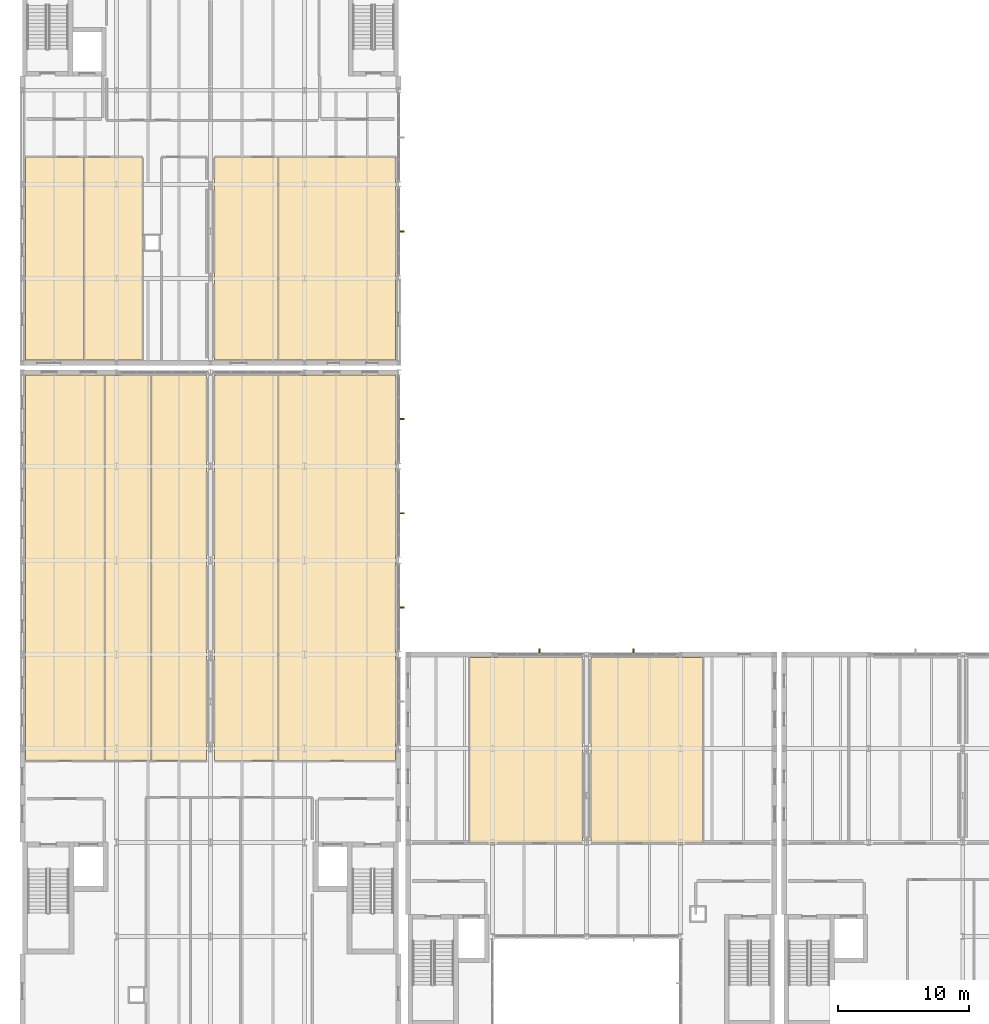
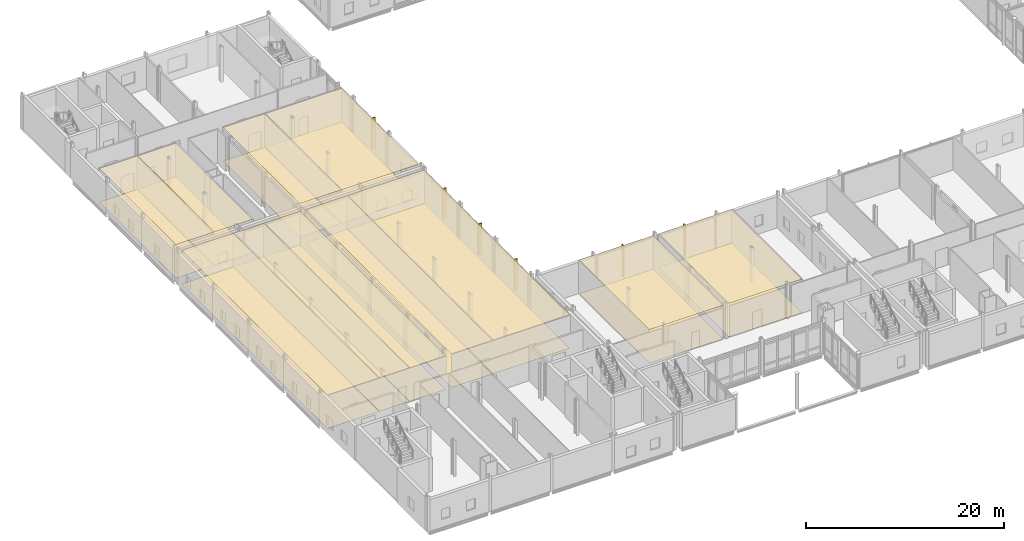
# One storey, part 68 of 76: 22 coverings, 6 shading devices.
"""IFC4 building model written with IfcOpenShell, lengths in metres."""

from ifc_helpers import new_model, si_unit, direction, frame, origin, origin_2d, place, context, subcontext, project, spatial, polyline, rectangle, outline, extrude, material, layer, layer_set, type_object, element, save


model = new_model("IFC4")

# Units and contexts
model_context = context("Model", 3, precision=1e-05, world=origin(), true_north=direction((0.0, 1.0)))
body_context = subcontext(model_context, "Body", "Model", "MODEL_VIEW")
ifc_project = project(units=[si_unit("LENGTHUNIT", "METRE"), si_unit("AREAUNIT", "SQUARE_METRE"), si_unit("VOLUMEUNIT", "CUBIC_METRE"), si_unit("PLANEANGLEUNIT", "RADIAN"), si_unit("MASSUNIT", "GRAM", prefix="KILO")], contexts=[model_context])

# Site, building, storey
site_placement = place(None, origin())
site = spatial("IfcSite", under=ifc_project, at=site_placement, CompositionType="ELEMENT")
building_placement = place(site_placement, origin())
building = spatial("IfcBuilding", under=site, at=building_placement, Name="Zarrinpeak Specialist Clinic", CompositionType="ELEMENT")
storey_placement = place(building_placement, frame((0.0, 0.0, 5.199951171875)))
storey = spatial("IfcBuildingStorey", under=building, at=storey_placement, Name="L01", CompositionType="ELEMENT", Elevation=5.199951171875)

# Coverings
ifc_material_1 = material(Name="Hygienic Acoustic Mineral Fibre Tile")
ifc_layer_1 = layer(ifc_material_1, 0.02490234375)
ifc_layer_set_1 = layer_set([ifc_layer_1], Name="Hygienic Acoustic Mineral Fibre Tile")
covering_type_1 = type_object("IfcCoveringType", Name="CV-CEIL-AC", PredefinedType="CEILING", material=ifc_layer_set_1)
covering_1_placement = place(storey_placement, frame((0.0, 0.0, 4.130126953125)))
element("IfcCovering", 1, at=covering_1_placement, inside=storey, type_object=covering_type_1, Name="L01 Cardiology Echocardiography Room Hygienic Acoustic Ceiling", PredefinedType="CEILING", context=body_context, shape_type="SweptSolid", body=[
    extrude(outline(polyline([(6.320068359375, 20.669921875), (9.830078125, 20.669921875), (9.830078125, 50.179931640625), (6.320068359375, 50.179931640625), (6.320068359375, 20.669921875)])), origin(), (0.0, 0.0, 1.0), 0.02490234375),
])
covering_2_placement = place(storey_placement, frame((0.0, 0.0, 4.130126953125)))
element("IfcCovering", 2, at=covering_2_placement, inside=storey, type_object=covering_type_1, Name="L01 Vascular Doppler Lab Hygienic Acoustic Ceiling", PredefinedType="CEILING", context=body_context, shape_type="SweptSolid", body=[
    extrude(outline(polyline([(9.8701171875, 20.669921875), (14.080078125, 20.669921875), (14.080078125, 50.179931640625), (9.8701171875, 50.179931640625), (9.8701171875, 20.669921875)])), origin(), (0.0, 0.0, 1.0), 0.02490234375),
])
covering_3_placement = place(storey_placement, frame((0.0, 0.0, 4.130126953125)))
element("IfcCovering", 3, at=covering_3_placement, inside=storey, type_object=covering_type_1, Name="L01 Cardiac Stress Testing Room Hygienic Acoustic Ceiling", PredefinedType="CEILING", context=body_context, shape_type="SweptSolid", body=[
    extrude(outline(polyline([(14.719970703125, 20.669921875), (19.580078125, 20.669921875), (19.580078125, 50.179931640625), (14.719970703125, 50.179931640625), (14.719970703125, 20.669921875)])), origin(), (0.0, 0.0, 1.0), 0.02490234375),
])
covering_4_placement = place(storey_placement, frame((0.0, 0.0, 4.130126953125)))
element("IfcCovering", 4, at=covering_4_placement, inside=storey, type_object=covering_type_1, Name="L01 Cardiology Waiting Lounge Hygienic Acoustic Ceiling", PredefinedType="CEILING", context=body_context, shape_type="SweptSolid", body=[
    extrude(outline(polyline([(0.219970703125, 20.669921875), (6.280029296875, 20.669921875), (6.280029296875, 50.179931640625), (0.219970703125, 50.179931640625), (0.219970703125, 20.669921875)])), origin(), (0.0, 0.0, 1.0), 0.02490234375),
])
covering_5_placement = place(storey_placement, frame((0.0, 0.0, 4.130126953125)))
element("IfcCovering", 5, at=covering_5_placement, inside=storey, type_object=covering_type_1, Name="L01 Specialist Consultation Room 1 Hygienic Acoustic Ceiling", PredefinedType="CEILING", context=body_context, shape_type="SweptSolid", body=[
    extrude(outline(polyline([(19.6201171875, 20.669921875), (28.580078125, 20.669921875), (28.580078125, 50.179931640625), (19.6201171875, 50.179931640625), (19.6201171875, 20.669921875)])), origin(), (0.0, 0.0, 1.0), 0.02490234375),
])
covering_6_placement = place(storey_placement, frame((0.0, 0.0, 4.130126953125)))
element("IfcCovering", 6, at=covering_6_placement, inside=storey, type_object=covering_type_1, Name="L01 Compounding Cleanroom Pharmacy Hygienic Acoustic Ceiling", PredefinedType="CEILING", context=body_context, shape_type="SweptSolid", body=[
    extrude(outline(polyline([(43.52001953125, 14.3701171875), (52.080078125, 14.3701171875), (52.080078125, 28.580078125), (43.52001953125, 28.580078125), (43.52001953125, 14.3701171875)])), origin(), (0.0, 0.0, 1.0), 0.02490234375),
])
covering_7_placement = place(storey_placement, frame((0.0, 0.0, 4.130126953125)))
element("IfcCovering", 7, at=covering_7_placement, inside=storey, type_object=covering_type_1, Name="L01 Medication Counseling Consult Hygienic Acoustic Ceiling", PredefinedType="CEILING", context=body_context, shape_type="SweptSolid", body=[
    extrude(outline(polyline([(34.239990234375, 14.3701171875), (42.8798828125, 14.3701171875), (42.8798828125, 28.580078125), (34.239990234375, 28.580078125), (34.239990234375, 14.3701171875)])), origin(), (0.0, 0.0, 1.0), 0.02490234375),
])
covering_8_placement = place(storey_placement, frame((0.0, 0.0, 4.130126953125)))
element("IfcCovering", 8, at=covering_8_placement, inside=storey, type_object=covering_type_1, Name="L01 Digital Mammography and Dexa Suite Hygienic Acoustic Ceiling", PredefinedType="CEILING", context=body_context, shape_type="SweptSolid", body=[
    extrude(outline(polyline([(4.719970703125, 51.340087890625), (9.179931640625, 51.340087890625), (9.179931640625, 66.8798828125), (4.719970703125, 66.8798828125), (4.719970703125, 51.340087890625)])), origin(), (0.0, 0.0, 1.0), 0.02490234375),
])
covering_9_placement = place(storey_placement, frame((0.0, 0.0, 4.130126953125)))
element("IfcCovering", 9, at=covering_9_placement, inside=storey, type_object=covering_type_1, Name="L01 Fluoroscopy Interventional Room Hygienic Acoustic Ceiling", PredefinedType="CEILING", context=body_context, shape_type="SweptSolid", body=[
    extrude(outline(polyline([(0.219970703125, 51.340087890625), (4.679931640625, 51.340087890625), (4.679931640625, 66.8798828125), (0.219970703125, 66.8798828125), (0.219970703125, 51.340087890625)])), origin(), (0.0, 0.0, 1.0), 0.02490234375),
])
covering_10_placement = place(storey_placement, frame((0.0, 0.0, 4.130126953125)))
element("IfcCovering", 10, at=covering_10_placement, inside=storey, type_object=covering_type_1, Name="L01 Ultrasound Diagnostic Bay Hygienic Acoustic Ceiling", PredefinedType="CEILING", context=body_context, shape_type="SweptSolid", body=[
    extrude(outline(polyline([(14.719970703125, 51.340087890625), (19.580078125, 51.340087890625), (19.580078125, 66.8798828125), (14.719970703125, 66.8798828125), (14.719970703125, 51.340087890625)])), origin(), (0.0, 0.0, 1.0), 0.02490234375),
])
covering_11_placement = place(storey_placement, frame((0.0, 0.0, 4.130126953125)))
element("IfcCovering", 11, at=covering_11_placement, inside=storey, type_object=covering_type_1, Name="L01 Specialist Consultation Room 2 Hygienic Acoustic Ceiling", PredefinedType="CEILING", context=body_context, shape_type="SweptSolid", body=[
    extrude(outline(polyline([(19.6201171875, 51.340087890625), (28.580078125, 51.340087890625), (28.580078125, 66.8798828125), (19.6201171875, 66.8798828125), (19.6201171875, 51.340087890625)])), origin(), (0.0, 0.0, 1.0), 0.02490234375),
])
ifc_material_2 = material(Name="Homogeneous Antimicrobial Clinical Vinyl")
ifc_layer_2 = layer(ifc_material_2, 0.008056640625)
ifc_layer_set_2 = layer_set([ifc_layer_2], Name="Homogeneous Antimicrobial Clinical Vinyl")
covering_type_2 = type_object("IfcCoveringType", Name="CV-FLR-VN", PredefinedType="FLOORING", material=ifc_layer_set_2)
covering_12_placement = place(storey_placement, frame((0.0, 0.0, 0.0009765625)))
element("IfcCovering", 12, at=covering_12_placement, inside=storey, type_object=covering_type_2, Name="L01 Cardiology Echocardiography Room Antimicrobial Vinyl Flooring", PredefinedType="FLOORING", context=body_context, shape_type="SweptSolid", body=[
    extrude(outline(polyline([(6.320068359375, 20.669921875), (9.830078125, 20.669921875), (9.830078125, 50.179931640625), (6.320068359375, 50.179931640625), (6.320068359375, 20.669921875)])), origin(), (0.0, 0.0, 1.0), 0.008056640625),
])
covering_13_placement = place(storey_placement, frame((0.0, 0.0, 0.0009765625)))
element("IfcCovering", 13, at=covering_13_placement, inside=storey, type_object=covering_type_2, Name="L01 Vascular Doppler Lab Antimicrobial Vinyl Flooring", PredefinedType="FLOORING", context=body_context, shape_type="SweptSolid", body=[
    extrude(outline(polyline([(9.8701171875, 20.669921875), (14.080078125, 20.669921875), (14.080078125, 50.179931640625), (9.8701171875, 50.179931640625), (9.8701171875, 20.669921875)])), origin(), (0.0, 0.0, 1.0), 0.008056640625),
])
covering_14_placement = place(storey_placement, frame((0.0, 0.0, 0.0009765625)))
element("IfcCovering", 14, at=covering_14_placement, inside=storey, type_object=covering_type_2, Name="L01 Cardiac Stress Testing Room Antimicrobial Vinyl Flooring", PredefinedType="FLOORING", context=body_context, shape_type="SweptSolid", body=[
    extrude(outline(polyline([(14.719970703125, 20.669921875), (19.580078125, 20.669921875), (19.580078125, 50.179931640625), (14.719970703125, 50.179931640625), (14.719970703125, 20.669921875)])), origin(), (0.0, 0.0, 1.0), 0.008056640625),
])
covering_15_placement = place(storey_placement, frame((0.0, 0.0, 0.0009765625)))
element("IfcCovering", 15, at=covering_15_placement, inside=storey, type_object=covering_type_2, Name="L01 Cardiology Waiting Lounge Antimicrobial Vinyl Flooring", PredefinedType="FLOORING", context=body_context, shape_type="SweptSolid", body=[
    extrude(outline(polyline([(0.219970703125, 20.669921875), (6.280029296875, 20.669921875), (6.280029296875, 50.179931640625), (0.219970703125, 50.179931640625), (0.219970703125, 20.669921875)])), origin(), (0.0, 0.0, 1.0), 0.008056640625),
])
covering_16_placement = place(storey_placement, frame((0.0, 0.0, 0.0009765625)))
element("IfcCovering", 16, at=covering_16_placement, inside=storey, type_object=covering_type_2, Name="L01 Specialist Consultation Room 1 Antimicrobial Vinyl Flooring", PredefinedType="FLOORING", context=body_context, shape_type="SweptSolid", body=[
    extrude(outline(polyline([(19.6201171875, 20.669921875), (28.580078125, 20.669921875), (28.580078125, 50.179931640625), (19.6201171875, 50.179931640625), (19.6201171875, 20.669921875)])), origin(), (0.0, 0.0, 1.0), 0.008056640625),
])
covering_17_placement = place(storey_placement, frame((0.0, 0.0, 0.0009765625)))
element("IfcCovering", 17, at=covering_17_placement, inside=storey, type_object=covering_type_2, Name="L01 Compounding Cleanroom Pharmacy Antimicrobial Vinyl Flooring", PredefinedType="FLOORING", context=body_context, shape_type="SweptSolid", body=[
    extrude(outline(polyline([(43.52001953125, 14.3701171875), (52.080078125, 14.3701171875), (52.080078125, 28.580078125), (43.52001953125, 28.580078125), (43.52001953125, 14.3701171875)])), origin(), (0.0, 0.0, 1.0), 0.008056640625),
])
covering_18_placement = place(storey_placement, frame((0.0, 0.0, 0.0009765625)))
element("IfcCovering", 18, at=covering_18_placement, inside=storey, type_object=covering_type_2, Name="L01 Medication Counseling Consult Antimicrobial Vinyl Flooring", PredefinedType="FLOORING", context=body_context, shape_type="SweptSolid", body=[
    extrude(outline(polyline([(34.239990234375, 14.3701171875), (42.8798828125, 14.3701171875), (42.8798828125, 28.580078125), (34.239990234375, 28.580078125), (34.239990234375, 14.3701171875)])), origin(), (0.0, 0.0, 1.0), 0.008056640625),
])
covering_19_placement = place(storey_placement, frame((0.0, 0.0, 0.0009765625)))
element("IfcCovering", 19, at=covering_19_placement, inside=storey, type_object=covering_type_2, Name="L01 Digital Mammography and Dexa Suite Antimicrobial Vinyl Flooring", PredefinedType="FLOORING", context=body_context, shape_type="SweptSolid", body=[
    extrude(outline(polyline([(4.719970703125, 51.340087890625), (9.179931640625, 51.340087890625), (9.179931640625, 66.8798828125), (4.719970703125, 66.8798828125), (4.719970703125, 51.340087890625)])), origin(), (0.0, 0.0, 1.0), 0.008056640625),
])
covering_20_placement = place(storey_placement, frame((0.0, 0.0, 0.0009765625)))
element("IfcCovering", 20, at=covering_20_placement, inside=storey, type_object=covering_type_2, Name="L01 Fluoroscopy Interventional Room Antimicrobial Vinyl Flooring", PredefinedType="FLOORING", context=body_context, shape_type="SweptSolid", body=[
    extrude(outline(polyline([(0.219970703125, 51.340087890625), (4.679931640625, 51.340087890625), (4.679931640625, 66.8798828125), (0.219970703125, 66.8798828125), (0.219970703125, 51.340087890625)])), origin(), (0.0, 0.0, 1.0), 0.008056640625),
])
covering_21_placement = place(storey_placement, frame((0.0, 0.0, 0.0009765625)))
element("IfcCovering", 21, at=covering_21_placement, inside=storey, type_object=covering_type_2, Name="L01 Ultrasound Diagnostic Bay Antimicrobial Vinyl Flooring", PredefinedType="FLOORING", context=body_context, shape_type="SweptSolid", body=[
    extrude(outline(polyline([(14.719970703125, 51.340087890625), (19.580078125, 51.340087890625), (19.580078125, 66.8798828125), (14.719970703125, 66.8798828125), (14.719970703125, 51.340087890625)])), origin(), (0.0, 0.0, 1.0), 0.008056640625),
])
covering_22_placement = place(storey_placement, frame((0.0, 0.0, 0.0009765625)))
element("IfcCovering", 22, at=covering_22_placement, inside=storey, type_object=covering_type_2, Name="L01 Specialist Consultation Room 2 Antimicrobial Vinyl Flooring", PredefinedType="FLOORING", context=body_context, shape_type="SweptSolid", body=[
    extrude(outline(polyline([(19.6201171875, 51.340087890625), (28.580078125, 51.340087890625), (28.580078125, 66.8798828125), (19.6201171875, 66.8798828125), (19.6201171875, 51.340087890625)])), origin(), (0.0, 0.0, 1.0), 0.008056640625),
])

# Shading devices
ifc_material_3 = material(Name="Glulam GL28h", Category="wood")
shading_device_type = type_object("IfcShadingDeviceType", Name="SHD-FIN-GL", PredefinedType="USERDEFINED", material=ifc_material_3)
for number, where, z_axis, x_axis, name in (
    (23, (29.0, 32.39990234375, -0.01513671875), (0.0, 0.0, 1.0), (1.0, 0.0, 0.0), "L01 V1 Cedar-Glulam Courtyard Fin FIN-006"),
    (24, (29.0, 39.612548828125, -0.01513671875), (0.0, 0.0, 1.0), (1.0, 0.0, 0.0), "L01 V1 Cedar-Glulam Courtyard Fin FIN-007"),
    (25, (29.0, 46.8125, -0.01513671875), (0.0, 0.0, 1.0), (1.0, 0.0, 0.0), "L01 V1 Cedar-Glulam Courtyard Fin FIN-008"),
):
    element("IfcShadingDevice", number, at=place(storey_placement, frame(where, z_axis=z_axis, x_axis=x_axis)), inside=storey, type_object=shading_device_type, Name=name, ObjectType="SUNSHADE", PredefinedType="USERDEFINED", context=body_context, shape_type="SweptSolid", body=[
        extrude(rectangle(XDim=0.449951171875, YDim=0.110107421875, at=origin_2d()), origin(), (0.0, 0.0, 1.0), 3.840087890625),
    ])
for number, where, z_axis, x_axis, name in (
    (26, (39.60009765625, 29.0, -0.01513671875), (0.0, 0.0, 1.0), (1.0, 0.0, 0.0), "L01 V2 Cedar-Glulam Courtyard Fin FIN-032"),
    (27, (46.800048828125, 29.0, -0.01513671875), (0.0, 0.0, 1.0), (1.0, 0.0, 0.0), "L01 V2 Cedar-Glulam Courtyard Fin FIN-033"),
):
    element("IfcShadingDevice", number, at=place(storey_placement, frame(where, z_axis=z_axis, x_axis=x_axis)), inside=storey, type_object=shading_device_type, Name=name, ObjectType="SUNSHADE", PredefinedType="USERDEFINED", context=body_context, shape_type="SweptSolid", body=[
        extrude(rectangle(XDim=0.110107421875, YDim=0.449951171875, at=origin_2d()), origin(), (0.0, 0.0, 1.0), 3.909912109375),
    ])
shading_device_placement = place(storey_placement, frame((29.0, 61.199951171875, -0.01513671875), z_axis=(0.0, 0.0, 1.0), x_axis=(1.0, 0.0, 0.0)))
element("IfcShadingDevice", 28, at=shading_device_placement, inside=storey, type_object=shading_device_type, Name="L01 V5 Cedar-Glulam Courtyard Fin FIN-075", ObjectType="SUNSHADE", PredefinedType="USERDEFINED", context=body_context, shape_type="SweptSolid", body=[
    extrude(rectangle(XDim=0.449951171875, YDim=0.110107421875, at=origin_2d()), origin(), (0.0, 0.0, 1.0), 3.840087890625),
])

save(model, "model.ifc")
